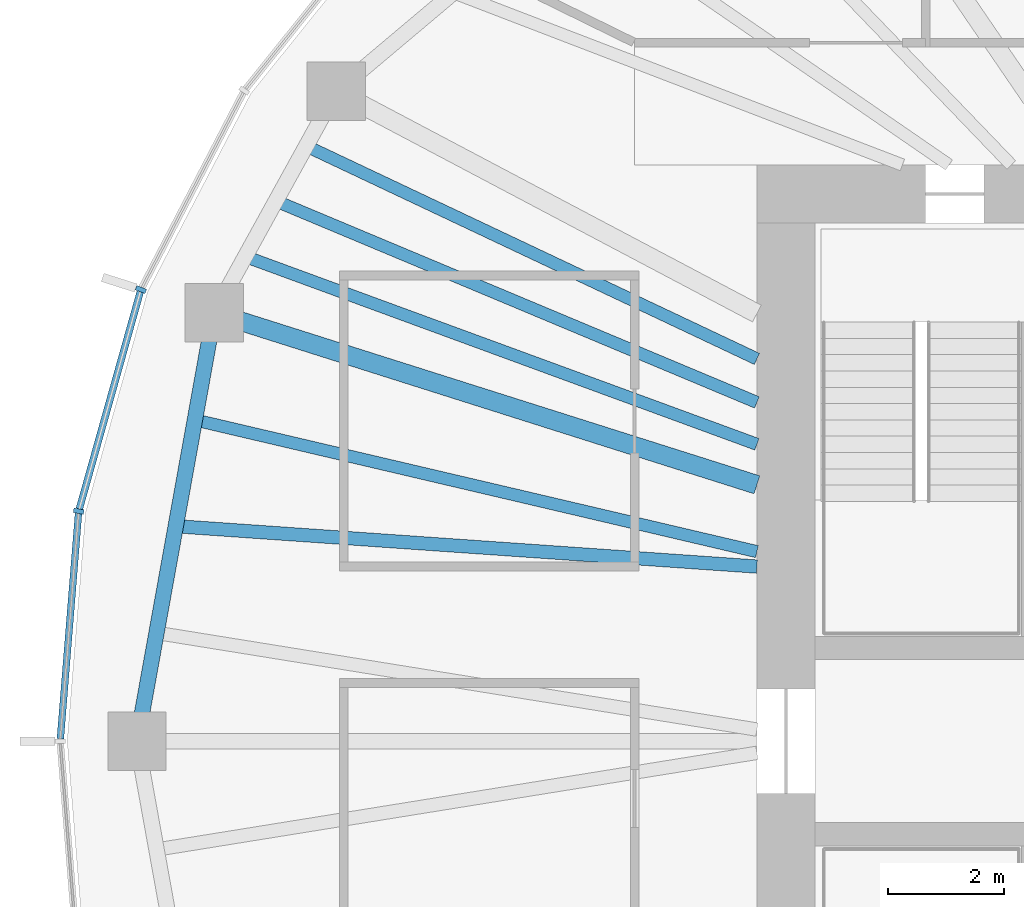
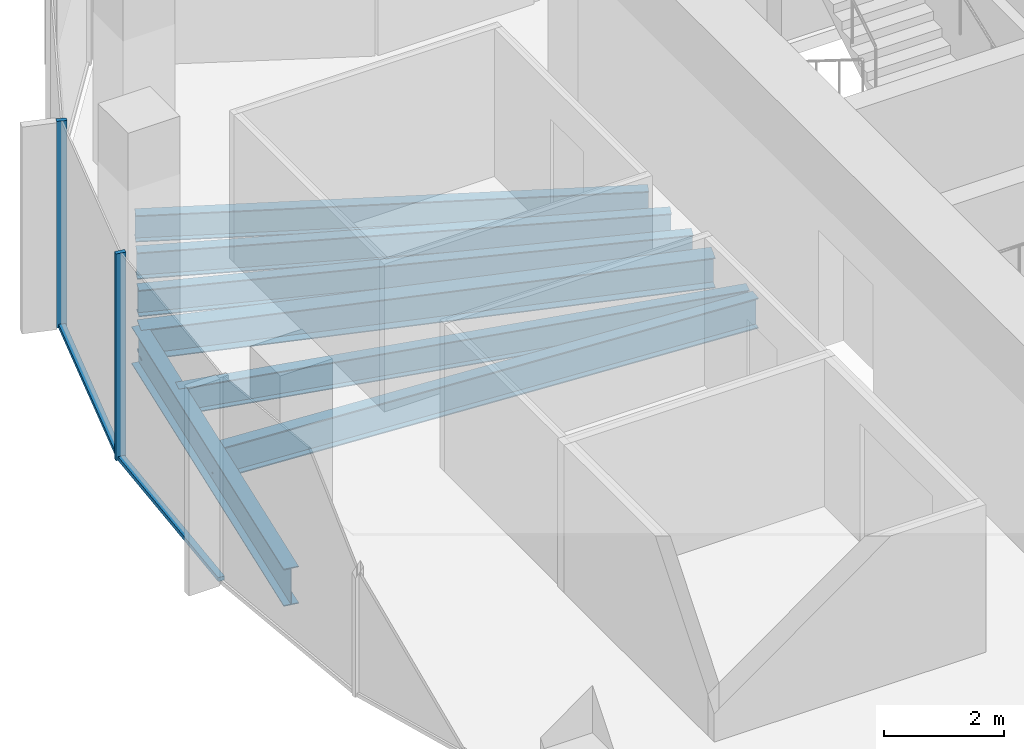
# One storey, part 3 of 11: 7 beams, 4 members, 1 element without a shape of its own.
"""IFC4 building model written with IfcOpenShell, lengths in metres."""

from ifc_helpers import new_model, si_unit, direction, frame, origin, origin_2d, place, context, subcontext, project, spatial, rectangle, i_section, extrude, material, material_profile, profile_set, type_object, element, aggregate, save


model = new_model("IFC4")

# Units and contexts
model_context = context("Model", 3, precision=1e-05, world=origin(), true_north=direction((0.0, 1.0)))
body_context = subcontext(model_context, "Body", "Model", "MODEL_VIEW")
ifc_project = project(units=[si_unit("LENGTHUNIT", "METRE"), si_unit("AREAUNIT", "SQUARE_METRE"), si_unit("VOLUMEUNIT", "CUBIC_METRE"), si_unit("PLANEANGLEUNIT", "RADIAN"), si_unit("MASSUNIT", "GRAM", prefix="KILO")], contexts=[model_context])

# Site, building, storey
site_placement = place(None, origin())
site = spatial("IfcSite", under=ifc_project, at=site_placement, CompositionType="ELEMENT")
building_placement = place(site_placement, origin())
building = spatial("IfcBuilding", under=site, at=building_placement, Name="Ghaith Harvest Tower", CompositionType="ELEMENT")
storey_placement = place(building_placement, frame((0.0, 0.0, 313.199951171875)))
storey = spatial("IfcBuildingStorey", under=building, at=storey_placement, Name="L70", CompositionType="ELEMENT", Elevation=313.199951171875)

# Curtain wall, members
ifc_material_1 = material(Name="Black anodised aluminium and fritted glass", Category="aluminium")
curtain_wall_type = type_object("IfcCurtainWallType", Name="CW-T CURTAIN WALL", PredefinedType="NOTDEFINED", material=ifc_material_1)
curtain_wall_placement = place(storey_placement, origin())
curtain_wall = element("IfcCurtainWall", 1, at=curtain_wall_placement, inside=storey, type_object=curtain_wall_type, Name="Curtain wall CW-T bay 10 L70", PredefinedType="NOTDEFINED")
ifc_material_2 = material(Name="Aluminium, black anodised", Category="aluminium")
ifc_material_profile_1 = material_profile(ifc_material_2, rectangle(XDim=0.080078125, YDim=0.179931640625, at=origin_2d()), Name="CW-T MULLION 80x180")
ifc_profile_set_1 = profile_set([ifc_material_profile_1], Name="Aluminium, black anodised")
member_type_1 = type_object("IfcMemberType", Name="CW-T MULLION 80x180", PredefinedType="MULLION", material=ifc_profile_set_1)
member_1_placement = place(storey_placement, frame((-24.482666015625, 7.759033203125, 0.0), z_axis=(0.0, 0.0, 1.0), x_axis=(-0.366473104961, -0.930428644948, 0.0)))
member_1 = element("IfcMember", 2, at=member_1_placement, type_object=member_type_1, Name="CW-T mullion 1 bay 10 L70", PredefinedType="MULLION", context=body_context, shape_type="SweptSolid", body=[
    extrude(rectangle(XDim=0.080078125, YDim=0.179931640625, at=origin_2d()), origin(), (0.0, 0.0, 1.0), 4.199951171875),
])
member_2_placement = place(storey_placement, frame((-25.5517578125, 3.9521484375, 0.0), z_axis=(0.0, 0.0, 1.0), x_axis=(-0.176001390642, -0.984389917915, 0.0)))
member_2 = element("IfcMember", 3, at=member_2_placement, type_object=member_type_1, Name="CW-T mullion 2 bay 10 L70", PredefinedType="MULLION", context=body_context, shape_type="SweptSolid", body=[
    extrude(rectangle(XDim=0.080078125, YDim=0.179931640625, at=origin_2d()), origin(), (0.0, 0.0, 1.0), 4.199951171875),
])
ifc_material_3 = material(Name="Aluminium, black anodised", Category="aluminium")
ifc_material_profile_2 = material_profile(ifc_material_3, rectangle(XDim=0.1201171875, YDim=0.080078125, at=origin_2d()), Name="CW-T TRANSOM 120x80")
ifc_profile_set_2 = profile_set([ifc_material_profile_2], Name="Aluminium, black anodised")
member_type_2 = type_object("IfcMemberType", Name="CW-T TRANSOM 120x80", PredefinedType="USERDEFINED", material=ifc_profile_set_2)
member_3_placement = place(storey_placement, frame((-24.49365234375, 7.720458984375, 0.0400390625), z_axis=(-0.270340422972, -0.962764797709, 0.0), x_axis=(0.962764797709, -0.270340422972, 0.0)))
member_3 = element("IfcMember", 4, at=member_3_placement, type_object=member_type_2, Name="CW-T transom 1 bay 10 L70", ObjectType="TRANSOM", PredefinedType="USERDEFINED", context=body_context, shape_type="SweptSolid", body=[
    extrude(rectangle(XDim=0.1201171875, YDim=0.080078125, at=origin_2d()), origin(), (0.0, 0.0, 1.0), 3.874267578125),
])
member_4_placement = place(storey_placement, frame((-25.554931640625, 3.912109375, 0.0400390625), z_axis=(-0.08025226314, -0.996774585481, 0.0), x_axis=(0.996774585481, -0.08025226314, 0.0)))
member_4 = element("IfcMember", 5, at=member_4_placement, type_object=member_type_2, Name="CW-T transom 2 bay 10 L70", ObjectType="TRANSOM", PredefinedType="USERDEFINED", context=body_context, shape_type="SweptSolid", body=[
    extrude(rectangle(XDim=0.1201171875, YDim=0.080078125, at=origin_2d()), origin(), (0.0, 0.0, 1.0), 3.884765625),
])
aggregate(curtain_wall, [member_1, member_3, member_2, member_4])

# Beams
ifc_material_4 = material(Name="Steel ASTM A992 Grade 50", Category="steel")
ifc_material_profile_3 = material_profile(ifc_material_4, i_section(OverallWidth=0.26611328125, OverallDepth=0.758056640625, WebThickness=0.013916015625, FlangeThickness=0.019287109375, at=origin_2d()), Name="W760X161")
ifc_profile_set_3 = profile_set([ifc_material_profile_3], Name="Steel ASTM A992 Grade 50")
beam_type_1 = type_object("IfcBeamType", Name="E760-161 W760X161", PredefinedType="SPANDREL", material=ifc_profile_set_3)
beam_1_placement = place(storey_placement, frame((-23.22412109375, 7.360107421875, -0.549072265625), z_axis=(-0.177296554745, -0.984157473007, 0.0), x_axis=(0.984157473007, -0.177296554745, 0.0)))
element("IfcBeam", 6, at=beam_1_placement, inside=storey, type_object=beam_type_1, Name="Edge beam E10 L70", PredefinedType="SPANDREL", context=body_context, shape_type="SweptSolid", body=[
    extrude(i_section(OverallWidth=0.26611328125, OverallDepth=0.758056640625, WebThickness=0.013916015625, FlangeThickness=0.019287109375, at=origin_2d()), origin(), (0.0, 0.0, 1.0), 7.478515625),
])
ifc_material_5 = material(Name="Steel ASTM A992 Grade 50", Category="steel")
ifc_material_profile_4 = material_profile(ifc_material_5, i_section(OverallWidth=0.323974609375, OverallDepth=0.611083984375, WebThickness=0.0126953125, FlangeThickness=0.01904296875, at=origin_2d()), Name="W610X155")
ifc_profile_set_4 = profile_set([ifc_material_profile_4], Name="Steel ASTM A992 Grade 50")
beam_type_2 = type_object("IfcBeamType", Name="G610-155 W610X155", PredefinedType="BEAM", material=ifc_profile_set_4)
beam_2_placement = place(storey_placement, frame((-13.89990234375, 4.4052734375, -0.475341796875), z_axis=(-0.953278508772, 0.302092841215, 0.0), x_axis=(-0.302092841215, -0.953278508772, 0.0)))
element("IfcBeam", 7, at=beam_2_placement, inside=storey, type_object=beam_type_2, Name="Radial girder G10 L70", PredefinedType="BEAM", context=body_context, shape_type="SweptSolid", body=[
    extrude(i_section(OverallWidth=0.323974609375, OverallDepth=0.611083984375, WebThickness=0.0126953125, FlangeThickness=0.01904296875, at=origin_2d()), origin(), (0.0, 0.0, 1.0), 9.78125),
])
ifc_material_6 = material(Name="Steel ASTM A992 Grade 50", Category="steel")
ifc_material_profile_5 = material_profile(ifc_material_6, i_section(OverallWidth=0.2109375, OverallDepth=0.5390625, WebThickness=0.01171875, FlangeThickness=0.018798828125, at=origin_2d()), Name="W530X109")
ifc_profile_set_5 = profile_set([ifc_material_profile_5], Name="Steel ASTM A992 Grade 50")
beam_type_3 = type_object("IfcBeamType", Name="J530-109 W530X109", PredefinedType="JOIST", material=ifc_profile_set_5)
beam_3_placement = place(storey_placement, frame((-13.89990234375, 6.56787109375, -0.439453125), z_axis=(-0.904165769726, 0.427181765594, 0.0), x_axis=(-0.427181765594, -0.904165769726, 0.0)))
element("IfcBeam", 8, at=beam_3_placement, inside=storey, type_object=beam_type_3, Name="Joist J09.1 L70", PredefinedType="JOIST", context=body_context, shape_type="SweptSolid", body=[
    extrude(i_section(OverallWidth=0.2109375, OverallDepth=0.5390625, WebThickness=0.01171875, FlangeThickness=0.018798828125, at=origin_2d()), origin(), (0.0, 0.0, 1.0), 8.564208984375),
])
beam_4_placement = place(storey_placement, frame((-13.89990234375, 5.82080078125, -0.439453125), z_axis=(-0.922394258818, 0.38624970071, 0.0), x_axis=(-0.38624970071, -0.922394258818, 0.0)))
element("IfcBeam", 9, at=beam_4_placement, inside=storey, type_object=beam_type_3, Name="Joist J09.2 L70", PredefinedType="JOIST", context=body_context, shape_type="SweptSolid", body=[
    extrude(i_section(OverallWidth=0.2109375, OverallDepth=0.5390625, WebThickness=0.01171875, FlangeThickness=0.018798828125, at=origin_2d()), origin(), (0.0, 0.0, 1.0), 8.959716796875),
])
beam_5_placement = place(storey_placement, frame((-13.89990234375, 5.101318359375, -0.439453125), z_axis=(-0.938776837502, 0.34452583266, 0.0), x_axis=(-0.34452583266, -0.938776837502, 0.0)))
element("IfcBeam", 10, at=beam_5_placement, inside=storey, type_object=beam_type_3, Name="Joist J09.3 L70", PredefinedType="JOIST", context=body_context, shape_type="SweptSolid", body=[
    extrude(i_section(OverallWidth=0.2109375, OverallDepth=0.5390625, WebThickness=0.01171875, FlangeThickness=0.018798828125, at=origin_2d()), origin(), (0.0, 0.0, 1.0), 9.36376953125),
])
beam_6_placement = place(storey_placement, frame((-13.89990234375, 3.257080078125, -0.439453125), z_axis=(-0.973623403271, 0.228161058472, 0.0), x_axis=(-0.228161058472, -0.973623403271, 0.0)))
element("IfcBeam", 11, at=beam_6_placement, inside=storey, type_object=beam_type_3, Name="Joist J10.1 L70", PredefinedType="JOIST", context=body_context, shape_type="SweptSolid", body=[
    extrude(i_section(OverallWidth=0.2109375, OverallDepth=0.5390625, WebThickness=0.01171875, FlangeThickness=0.018798828125, at=origin_2d()), origin(), (0.0, 0.0, 1.0), 9.9169921875),
])
ifc_material_7 = material(Name="Steel ASTM A992 Grade 50", Category="steel")
ifc_material_profile_6 = material_profile(ifc_material_7, i_section(OverallWidth=0.22998046875, OverallDepth=0.616943359375, WebThickness=0.01318359375, FlangeThickness=0.022216796875, at=origin_2d()), Name="W610X140")
ifc_profile_set_6 = profile_set([ifc_material_profile_6], Name="Steel ASTM A992 Grade 50")
beam_type_4 = type_object("IfcBeamType", Name="J610-140 W610X140", PredefinedType="JOIST", material=ifc_profile_set_6)
beam_7_placement = place(storey_placement, frame((-13.89990234375, 3.0, -0.478515625), z_axis=(-0.997592478057, 0.069348739886, 0.0), x_axis=(-0.069348739886, -0.997592478057, 0.0)))
element("IfcBeam", 12, at=beam_7_placement, inside=storey, type_object=beam_type_4, Name="Joist J10.2 L70", PredefinedType="JOIST", context=body_context, shape_type="SweptSolid", body=[
    extrude(i_section(OverallWidth=0.22998046875, OverallDepth=0.616943359375, WebThickness=0.01318359375, FlangeThickness=0.022216796875, at=origin_2d()), origin(), (0.0, 0.0, 1.0), 10.0087890625),
])

save(model, "model.ifc")
